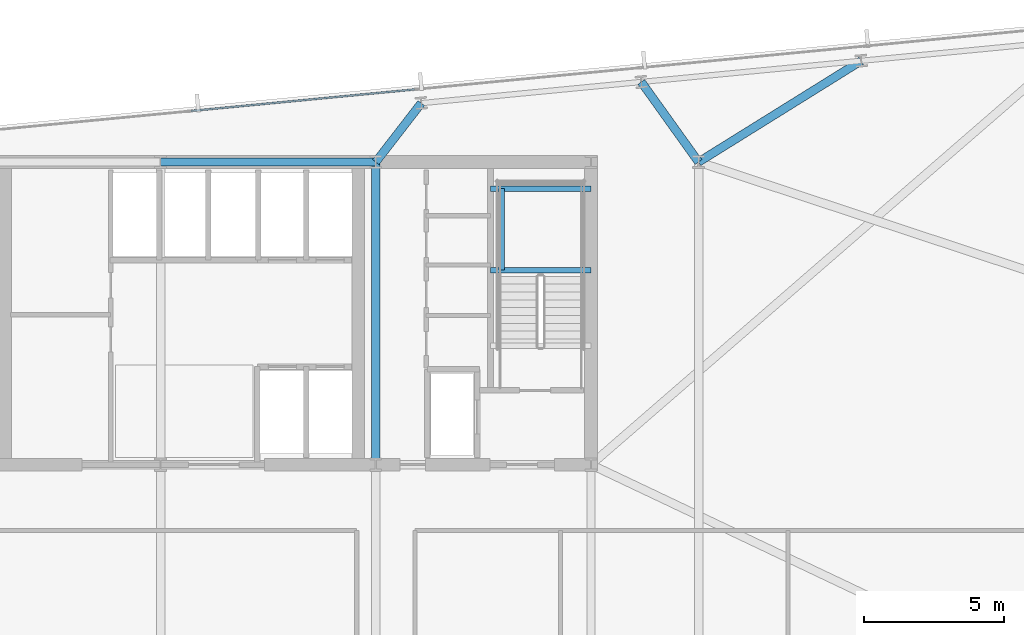
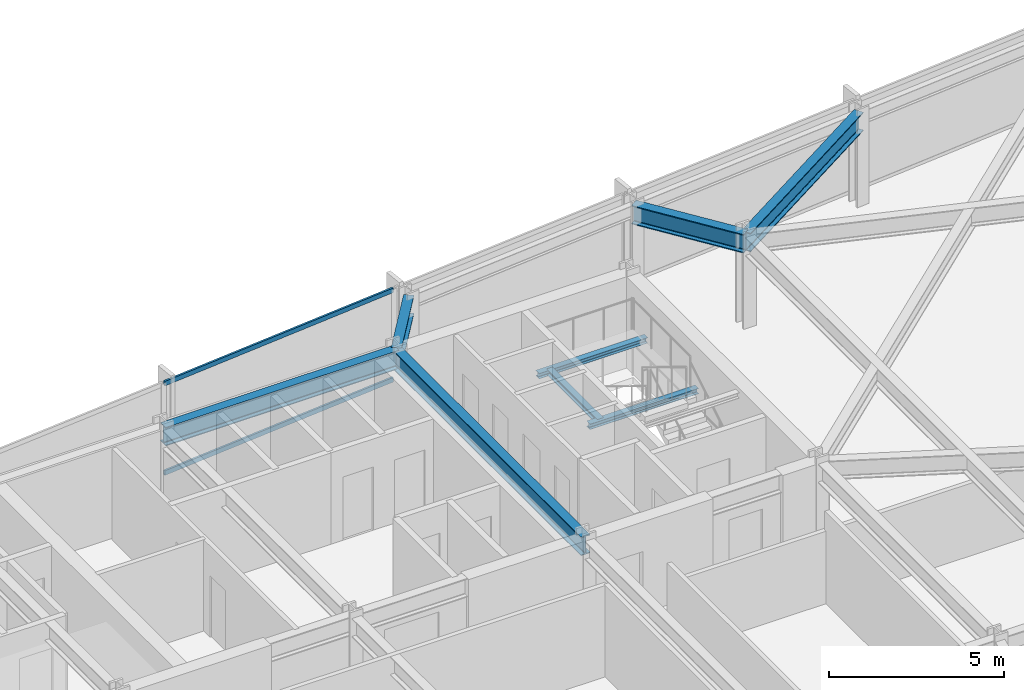
# One storey, part 20 of 32: 8 beams, 2 members, 1 element without a shape of its own.
"""IFC4 building model written with IfcOpenShell, lengths in metres."""

from ifc_helpers import new_model, si_unit, direction, frame, origin, origin_2d, place, context, subcontext, project, spatial, hollow_rectangle, i_section, extrude, material, material_profile, profile_set, type_object, element, aggregate, save


model = new_model("IFC4")

# Units and contexts
model_context = context("Model", 3, precision=1e-05, world=origin(), true_north=direction((0.0, 1.0)))
body_context = subcontext(model_context, "Body", "Model", "MODEL_VIEW")
ifc_project = project(units=[si_unit("LENGTHUNIT", "METRE"), si_unit("AREAUNIT", "SQUARE_METRE"), si_unit("VOLUMEUNIT", "CUBIC_METRE"), si_unit("PLANEANGLEUNIT", "RADIAN"), si_unit("MASSUNIT", "GRAM", prefix="KILO")], contexts=[model_context])

# Site, building, storey
site_placement = place(None, origin())
site = spatial("IfcSite", under=ifc_project, at=site_placement, CompositionType="ELEMENT")
building_placement = place(site_placement, origin())
building = spatial("IfcBuilding", under=site, at=building_placement, Name="Yelkora Congress Tower", CompositionType="ELEMENT")
storey_placement = place(building_placement, frame((0.0, 0.0, 96.5)))
storey = spatial("IfcBuildingStorey", under=building, at=storey_placement, Name="L25", CompositionType="ELEMENT", Elevation=96.5)

# Beams
ifc_material_1 = material(Name="Steel S355J2", Category="steel")
ifc_material_profile_1 = material_profile(ifc_material_1, i_section(OverallWidth=0.300048828125, OverallDepth=0.64990234375, WebThickness=0.01611328125, FlangeThickness=0.031005859375, FilletRadius=0.027099609375, at=origin_2d()), Name="HEB 650")
ifc_profile_set_1 = profile_set([ifc_material_profile_1], Name="Steel S355J2")
beam_type_1 = type_object("IfcBeamType", Name="BM-GIRD-HEB650", PredefinedType="BEAM", material=ifc_profile_set_1)
beam_1_placement = place(storey_placement, frame((38.39990234375, 46.199951171875, 2.85498046875), z_axis=(1.0, 0.0, 0.0), x_axis=(0.0, 1.0, 0.0)))
element("IfcBeam", 1, at=beam_1_placement, inside=storey, type_object=beam_type_1, Name="L25 Core North Girder 4", PredefinedType="BEAM", context=body_context, shape_type="SweptSolid", body=[
    extrude(i_section(OverallWidth=0.300048828125, OverallDepth=0.64990234375, WebThickness=0.01611328125, FlangeThickness=0.031005859375, FilletRadius=0.027099609375, at=origin_2d()), origin(), (0.0, 0.0, 1.0), 7.68017578125),
])
beam_2_placement = place(storey_placement, frame((46.080078125, 35.39990234375, 2.85498046875), z_axis=(0.0, 1.0, 0.0), x_axis=(-1.0, 0.0, 0.0)))
element("IfcBeam", 2, at=beam_2_placement, inside=storey, type_object=beam_type_1, Name="L25 Core Tie Girder MC-S4", PredefinedType="BEAM", context=body_context, shape_type="SweptSolid", body=[
    extrude(i_section(OverallWidth=0.300048828125, OverallDepth=0.64990234375, WebThickness=0.01611328125, FlangeThickness=0.031005859375, FilletRadius=0.027099609375, at=origin_2d()), origin(), (0.0, 0.0, 1.0), 10.800048828125),
])
beam_3_placement = place(storey_placement, frame((47.70458984375, 48.300537109375, 2.85498046875), z_axis=(-0.611761448665, -0.791042306029, 0.0), x_axis=(0.791042306029, -0.611761448665, 0.0)))
element("IfcBeam", 3, at=beam_3_placement, inside=storey, type_object=beam_type_1, Name="L25 Primary Frame Girder N05", PredefinedType="BEAM", context=body_context, shape_type="SweptSolid", body=[
    extrude(i_section(OverallWidth=0.300048828125, OverallDepth=0.64990234375, WebThickness=0.01611328125, FlangeThickness=0.031005859375, FilletRadius=0.027099609375, at=origin_2d()), origin(), (0.0, 0.0, 1.0), 2.655517578125),
])
beam_4_placement = place(storey_placement, frame((55.553955078125, 49.056396484375, 2.85498046875), z_axis=(0.582335305303, -0.81294870207, 0.0), x_axis=(0.81294870207, 0.582335305303, 0.0)))
element("IfcBeam", 4, at=beam_4_placement, inside=storey, type_object=beam_type_1, Name="L25 Primary Frame Girder N06", PredefinedType="BEAM", context=body_context, shape_type="SweptSolid", body=[
    extrude(i_section(OverallWidth=0.300048828125, OverallDepth=0.64990234375, WebThickness=0.01611328125, FlangeThickness=0.031005859375, FilletRadius=0.027099609375, at=origin_2d()), origin(), (0.0, 0.0, 1.0), 3.513671875),
])
beam_5_placement = place(storey_placement, frame((63.4033203125, 49.81201171875, 2.85498046875), z_axis=(-0.848980050527, -0.528424898929, 0.0), x_axis=(0.528424898929, -0.848980050527, 0.0)))
element("IfcBeam", 5, at=beam_5_placement, inside=storey, type_object=beam_type_1, Name="L25 Primary Frame Girder N07", PredefinedType="BEAM", context=body_context, shape_type="SweptSolid", body=[
    extrude(i_section(OverallWidth=0.300048828125, OverallDepth=0.64990234375, WebThickness=0.01611328125, FlangeThickness=0.031005859375, FilletRadius=0.027099609375, at=origin_2d()), origin(), (0.0, 0.0, 1.0), 6.83544921875),
])
ifc_material_profile_2 = material_profile(ifc_material_1, i_section(OverallWidth=0.199951171875, OverallDepth=0.18994140625, WebThickness=0.006591796875, FlangeThickness=0.010009765625, FilletRadius=0.01806640625, at=origin_2d()), Name="HEA 200")
ifc_profile_set_2 = profile_set([ifc_material_profile_2], Name="Steel S355J2")
beam_type_2 = type_object("IfcBeamType", Name="BM-LAND-HEA200", PredefinedType="BEAM", material=ifc_profile_set_2)
for number, where, z_axis, x_axis, name in (
    (6, (50.179931640625, 42.340087890625, 1.384521484375), (1.0, 0.0, 0.0), (0.0, 1.0, 0.0), "ST-02 L25 Landing Header Beam 1S"),
    (7, (50.179931640625, 45.25, 1.384521484375), (1.0, 0.0, 0.0), (0.0, 1.0, 0.0), "ST-02 L25 Landing Header Beam 1N"),
):
    element("IfcBeam", number, at=place(storey_placement, frame(where, z_axis=z_axis, x_axis=x_axis)), inside=storey, type_object=beam_type_2, Name=name, PredefinedType="BEAM", context=body_context, shape_type="SweptSolid", body=[
        extrude(i_section(OverallWidth=0.199951171875, OverallDepth=0.18994140625, WebThickness=0.006591796875, FlangeThickness=0.010009765625, FilletRadius=0.01806640625, at=origin_2d()), origin(), (0.0, 0.0, 1.0), 3.580078125),
    ])
beam_6_placement = place(storey_placement, frame((50.580078125, 42.340087890625, 1.384521484375), z_axis=(0.0, 1.0, 0.0), x_axis=(-1.0, 0.0, 0.0)))
element("IfcBeam", 8, at=beam_6_placement, inside=storey, type_object=beam_type_2, Name="ST-02 L25 Landing Trimmer Beam 1M", PredefinedType="BEAM", context=body_context, shape_type="SweptSolid", body=[
    extrude(i_section(OverallWidth=0.199951171875, OverallDepth=0.18994140625, WebThickness=0.006591796875, FlangeThickness=0.010009765625, FilletRadius=0.01806640625, at=origin_2d()), origin(), (0.0, 0.0, 1.0), 2.909912109375),
])

# Curtain wall, members
ifc_material_2 = material(Name="Anodised aluminium and insulated glass", Category="aluminium")
curtain_wall_type = type_object("IfcCurtainWallType", Name="CW-SYS-B2", PredefinedType="NOTDEFINED", material=ifc_material_2)
curtain_wall_placement = place(storey_placement, origin())
curtain_wall = element("IfcCurtainWall", 9, at=curtain_wall_placement, inside=storey, type_object=curtain_wall_type, Name="L25 Unitised Curtain Wall 10 (3)", PredefinedType="NOTDEFINED")
ifc_material_3 = material(Name="Anodised aluminium 6063-T6", Category="aluminium")
ifc_material_profile_3 = material_profile(ifc_material_3, hollow_rectangle(XDim=0.06494140625, YDim=0.159912109375, WallThickness=0.00390625, at=origin_2d()), Name="ALU 65x160x4")
ifc_profile_set_3 = profile_set([ifc_material_profile_3], Name="Anodised aluminium 6063-T6")
member_type = type_object("IfcMemberType", Name="MEM-TR-B2", PredefinedType="USERDEFINED", material=ifc_profile_set_3)
member_1_placement = place(storey_placement, frame((39.48681640625, 48.021728515625, 0.032470703125), z_axis=(0.995397513894, 0.095832089266, 0.0), x_axis=(-0.095832089266, 0.995397513894, 0.0)))
member_1 = element("IfcMember", 10, at=member_1_placement, type_object=member_type, Name="CW-B2 transom 3.1", ObjectType="TRANSOM", PredefinedType="USERDEFINED", context=body_context, shape_type="SweptSolid", body=[
    extrude(hollow_rectangle(XDim=0.06494140625, YDim=0.159912109375, WallThickness=0.00390625, at=origin_2d()), origin(), (0.0, 0.0, 1.0), 8.007080078125),
])
member_2_placement = place(storey_placement, frame((39.48681640625, 48.021728515625, 3.1474609375), z_axis=(0.995397513894, 0.095832089266, 0.0), x_axis=(-0.095832089266, 0.995397513894, 0.0)))
member_2 = element("IfcMember", 11, at=member_2_placement, type_object=member_type, Name="CW-B2 transom 3.2", ObjectType="TRANSOM", PredefinedType="USERDEFINED", context=body_context, shape_type="SweptSolid", body=[
    extrude(hollow_rectangle(XDim=0.06494140625, YDim=0.159912109375, WallThickness=0.00390625, at=origin_2d()), origin(), (0.0, 0.0, 1.0), 8.007080078125),
])
aggregate(curtain_wall, [member_1, member_2])

save(model, "model.ifc")
